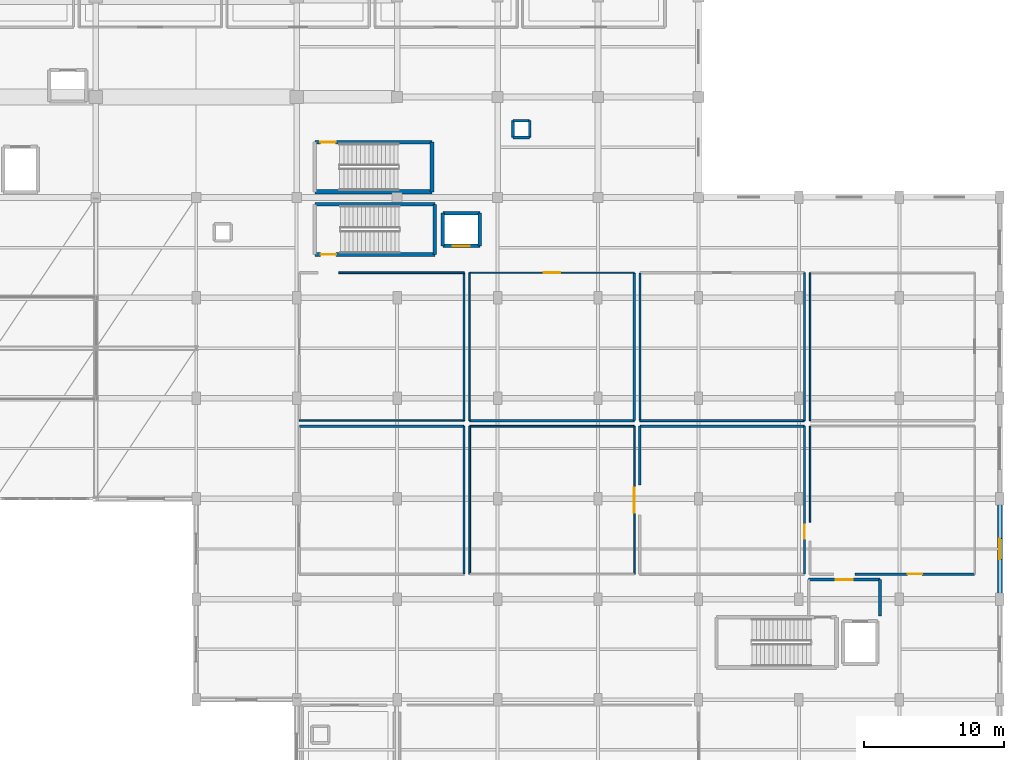
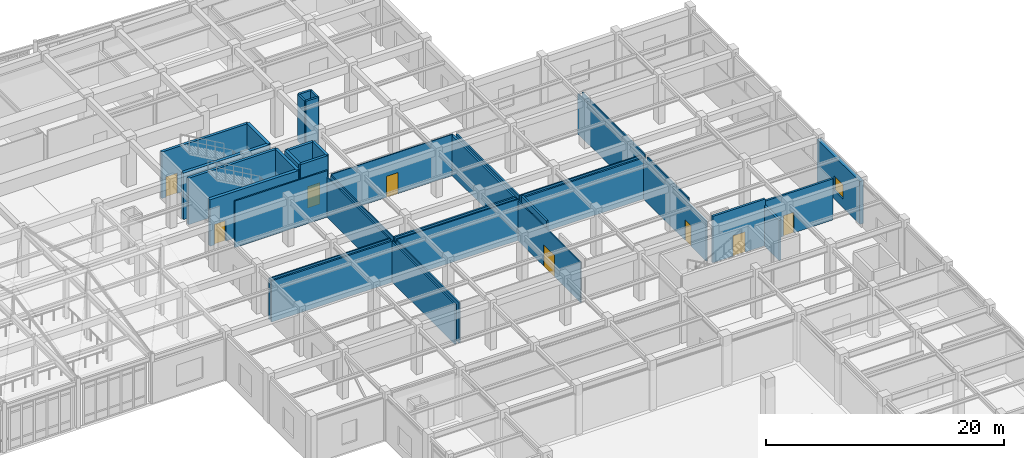
# One storey, part 95 of 117: 38 walls, 8 doors, 1 window, 9 openings.
"""IFC4 building model written with IfcOpenShell, lengths in metres."""

import ifcopenshell
import ifcopenshell.guid

model = None  # the IFC model being written
_history = None  # IfcOwnerHistory: only IFC2X3 demands one
_inside = {}  # id of a spatial element -> (the spatial element, [elements in it])
_under = {}  # id of a project, library or spatial element -> (it, [spatial elements below it])
_declared = {}  # id of a project -> (the project, [libraries it declares])
_typed = {}  # id of a type object -> (the type object, [elements of that type])
_made_of = {}  # id of a material, layer set ... -> (it, [elements and type objects made of it])


def new_model(schema):
    """Start an empty IFC model of exactly this schema.

    Asked for "IFC4X3", IfcOpenShell would pick the latest addendum, in which some entities
    have other attributes; the version numbers below select the first issue.
    IFC2X3 requires an IfcOwnerHistory on every rooted entity: one is made here for all.
    """
    global model, _history
    if schema == "IFC4X3":
        model = ifcopenshell.file(schema_version=(4, 3, 0, 0))
    else:
        model = ifcopenshell.file(schema=schema)
    _inside.clear()
    _under.clear()
    _declared.clear()
    _typed.clear()
    _made_of.clear()
    _history = None
    if model.schema == "IFC2X3":
        org = make("IfcOrganization", Name="unknown")
        user = make(
            "IfcPersonAndOrganization",
            ThePerson=make("IfcPerson", FamilyName="unknown"),
            TheOrganization=org,
        )
        app = make(
            "IfcApplication",
            ApplicationDeveloper=org,
            Version="unknown",
            ApplicationFullName="unknown",
            ApplicationIdentifier="unknown",
        )
        _history = make(
            "IfcOwnerHistory",
            OwningUser=user,
            OwningApplication=app,
            ChangeAction="ADDED",
            CreationDate=0,
        )
    return model


def make(cls, **values):
    """One entity of the class cls with the attributes given. An attribute that is None is left unset."""
    return model.create_entity(
        cls, **{name: value for name, value in values.items() if value is not None}
    )


def rooted(cls, **values):
    """An entity with a GlobalId (a new one), such as an element, a storey or a relation."""
    return make(cls, GlobalId=ifcopenshell.guid.new(), OwnerHistory=_history, **values)


def si_unit(unit_type, name, prefix=None):
    """IfcSIUnit, for example si_unit("LENGTHUNIT", "METRE", prefix="MILLI")."""
    return make("IfcSIUnit", UnitType=unit_type, Prefix=prefix, Name=name)


def assignment(units):
    """IfcUnitAssignment: the units of a project."""
    return None if units is None else make("IfcUnitAssignment", Units=units)


def point(xyz):
    """IfcCartesianPoint."""
    return None if xyz is None else make("IfcCartesianPoint", Coordinates=xyz)


def direction(xyz):
    """IfcDirection."""
    return None if xyz is None else make("IfcDirection", DirectionRatios=xyz)


def frame(location, z_axis=None, x_axis=None):
    """IfcAxis2Placement3D, a coordinate frame: its origin and axes. An axis left out is left unset."""
    return make(
        "IfcAxis2Placement3D",
        Location=point(location),
        Axis=direction(z_axis),
        RefDirection=direction(x_axis),
    )


def frame_2d(location, x_axis=None):
    """IfcAxis2Placement2D, a coordinate frame in the plane: its origin and x axis."""
    return make(
        "IfcAxis2Placement2D", Location=point(location), RefDirection=direction(x_axis)
    )


def origin():
    """The frame at (0, 0, 0) with its axes left unset."""
    return frame((0.0, 0.0, 0.0))


def place(relative_to, where):
    """IfcLocalPlacement: puts the frame where relative to a parent placement (None: the world)."""
    return make(
        "IfcLocalPlacement", PlacementRelTo=relative_to, RelativePlacement=where
    )


def context(
    kind, dimensions, precision=None, world=None, true_north=None, identifier=None
):
    """IfcGeometricRepresentationContext, for example the 3D "Model" context."""
    return make(
        "IfcGeometricRepresentationContext",
        ContextIdentifier=identifier,
        ContextType=kind,
        CoordinateSpaceDimension=dimensions,
        Precision=precision,
        WorldCoordinateSystem=world,
        TrueNorth=true_north,
    )


def subcontext(parent, identifier, kind, view, scale=None):
    """IfcGeometricRepresentationSubContext, for example "Body" below "Model"."""
    return make(
        "IfcGeometricRepresentationSubContext",
        ContextIdentifier=identifier,
        ContextType=kind,
        ParentContext=parent,
        TargetScale=scale,
        TargetView=view,
    )


def project(units=None, contexts=None):
    """IfcProject with its units and contexts."""
    return rooted(
        "IfcProject",
        Name="project",
        RepresentationContexts=contexts,
        UnitsInContext=assignment(units),
    )


def spatial(cls, under=None, at=None, **own):
    """A site, building, storey or space (cls), placed at a placement, below another one or the project."""
    s = rooted(cls, ObjectPlacement=at, **own)
    if under is not None:
        _under.setdefault(under.id(), (under, []))[1].append(s)
    return s


def profile(cls, at=None, kind="AREA", **sizes):
    """A parametric profile (cls). Its sizes go by their IFC names, for example OverallWidth=200.0."""
    return make(cls, ProfileType=kind, Position=at, **sizes)


def rectangle(**sizes):
    """IfcRectangleProfileDef."""
    return profile("IfcRectangleProfileDef", **sizes)


def extrude(swept, where, along, depth):
    """IfcExtrudedAreaSolid: the profile swept, set in the frame where, extruded along a direction by depth."""
    return make(
        "IfcExtrudedAreaSolid",
        SweptArea=swept,
        Position=where,
        ExtrudedDirection=direction(along),
        Depth=depth,
    )


def shape(context_of_items, identifier, shape_type, items):
    """IfcShapeRepresentation: the items that make up one representation, for example the "Body"."""
    return make(
        "IfcShapeRepresentation",
        ContextOfItems=context_of_items,
        RepresentationIdentifier=identifier,
        RepresentationType=shape_type,
        Items=items,
    )


def material(Name=None, Category=None):
    """IfcMaterial."""
    return make("IfcMaterial", Name=Name, Category=Category)


def layer(
    of_material, thickness, ventilated=None, Name=None, Category=None, Priority=None
):
    """IfcMaterialLayer: one layer of a wall or slab, of a material (None: an air gap)."""
    return make(
        "IfcMaterialLayer",
        Material=of_material,
        LayerThickness=thickness,
        IsVentilated=ventilated,
        Name=Name,
        Category=Category,
        Priority=Priority,
    )


def layer_set(layers, Name=None):
    """IfcMaterialLayerSet."""
    return make("IfcMaterialLayerSet", MaterialLayers=layers, LayerSetName=Name)


def made_of(thing, what):
    """Note that an element or type object is made of a material, layer set ...; save() writes the relation."""
    if what is not None:
        _made_of.setdefault(what.id(), (what, []))[1].append(thing)
    return thing


def type_object(cls, material=None, **own):
    """A type object (cls), such as IfcWallType, which elements share."""
    return made_of(rooted(cls, **own), material)


def element(
    cls,
    number,
    at=None,
    inside=None,
    cuts=None,
    type_object=None,
    material=None,
    context=None,
    identifier="Body",
    shape_type=None,
    held_by="IfcProductDefinitionShape",
    body=None,
    shapes=None,
    **own,
):
    """One element of the class cls, such as IfcWall. Its Tag is "e" and its number.

    at: its placement. inside: the storey or other place that contains it. cuts: it is an
    opening in that element (IfcRelVoidsElement). A single representation is given by context,
    identifier, shape_type and body (its items); several are given by shapes. held_by: the class
    of the entity that holds the representations. save() writes the other relations.
    """
    e = rooted(cls, Tag="e%d" % number, ObjectPlacement=at, **own)
    if body is not None:
        shapes = [shape(context, identifier, shape_type, body)]
    if shapes is not None:
        e.Representation = make(held_by, Representations=shapes)
    if inside is not None:
        _inside.setdefault(inside.id(), (inside, []))[1].append(e)
    if cuts is not None:
        rooted(
            "IfcRelVoidsElement", RelatingBuildingElement=cuts, RelatedOpeningElement=e
        )
    if type_object is not None:
        _typed.setdefault(type_object.id(), (type_object, []))[1].append(e)
    return made_of(e, material)


def fill(opening, filler):
    """IfcRelFillsElement: the door or window that sits in an opening."""
    return rooted(
        "IfcRelFillsElement",
        RelatingOpeningElement=opening,
        RelatedBuildingElement=filler,
    )


def aggregate(whole, parts):
    """IfcRelAggregates: a whole, such as a stair, and the parts it consists of."""
    return rooted("IfcRelAggregates", RelatingObject=whole, RelatedObjects=parts)


def save(model, path):
    """Write the relations noted so far, then the file.

    IfcRelAggregates (storeys below a building ...), IfcRelContainedInSpatialStructure (elements
    in a storey), IfcRelDefinesByType, IfcRelAssociatesMaterial and IfcRelDeclares: one each for
    every whole, place, type object, material and project.
    """
    for whole, parts in _under.values():
        aggregate(whole, parts)
    for where, things in _inside.values():
        rooted(
            "IfcRelContainedInSpatialStructure",
            RelatedElements=things,
            RelatingStructure=where,
        )
    for kind, things in _typed.values():
        rooted("IfcRelDefinesByType", RelatedObjects=things, RelatingType=kind)
    for what, things in _made_of.values():
        rooted("IfcRelAssociatesMaterial", RelatedObjects=things, RelatingMaterial=what)
    for by, libraries in _declared.values():
        rooted("IfcRelDeclares", RelatingContext=by, RelatedDefinitions=libraries)
    model.write(path)


model = new_model("IFC4")

# Units and contexts
model_context = context("Model", 3, precision=1e-05, world=origin(), true_north=direction((0.0, 1.0)))
body_context = subcontext(model_context, "Body", "Model", "MODEL_VIEW")
ifc_project = project(units=[si_unit("LENGTHUNIT", "METRE"), si_unit("AREAUNIT", "SQUARE_METRE"), si_unit("VOLUMEUNIT", "CUBIC_METRE"), si_unit("PLANEANGLEUNIT", "RADIAN"), si_unit("MASSUNIT", "GRAM", prefix="KILO")], contexts=[model_context])

# Site, building, storey
site_placement = place(None, origin())
site = spatial("IfcSite", under=ifc_project, at=site_placement, CompositionType="ELEMENT")
building_placement = place(site_placement, origin())
building = spatial("IfcBuilding", under=site, at=building_placement, Name="Carrowvane Square Congress Hotel", CompositionType="ELEMENT")
storey_placement = place(building_placement, frame((0.0, 0.0, 5.39990234375)))
storey = spatial("IfcBuildingStorey", under=building, at=storey_placement, Name="L01", CompositionType="ELEMENT", Elevation=5.39990234375)

# Wall, opening, window
ifc_material_1 = material(Name="Glazed terracotta rainscreen", Category="masonry")
ifc_layer_1 = layer(ifc_material_1, 0.360107421875)
ifc_layer_set_1 = layer_set([ifc_layer_1], Name="Glazed terracotta rainscreen")
wall_type_1 = type_object("IfcWallType", Name="WL-EXT-TC360", PredefinedType="STANDARD", material=ifc_layer_set_1)
wall_1_placement = place(storey_placement, frame((184.39990234375, 70.199951171875, 0.0), z_axis=(0.0, 0.0, 1.0), x_axis=(0.0, -1.0, 0.0)))
wall_1 = element("IfcWall", 1, at=wall_1_placement, inside=storey, type_object=wall_type_1, Name="L01 exterior facade wall 229", PredefinedType="STANDARD", context=body_context, shape_type="SweptSolid", body=[
    extrude(rectangle(XDim=7.199951171875, YDim=0.360107421875, at=frame_2d((3.60009765625, 0.0))), origin(), (0.0, 0.0, 1.0), 4.406982421875),
])
opening_1_placement = place(wall_1_placement, frame((2.85009765625, 0.0, 0.89990234375)))
opening_1 = element("IfcOpeningElement", 2, at=opening_1_placement, cuts=wall_1, Name="Opening W-15", PredefinedType="OPENING", context=body_context, shape_type="SweptSolid", body=[
    extrude(rectangle(XDim=1.5, YDim=1.5, at=frame_2d((0.75, 0.75))), frame((0.0, 0.18994140625, 0.0), z_axis=(0.0, -1.0, 0.0), x_axis=(1.0, 0.0, 0.0)), (0.0, 0.0, 1.0), 0.380126953125),
])
ifc_material_2 = material(Name="Double-glazed low-E glass", Category="glass")
window_type = type_object("IfcWindowType", Name="WIN-15", PartitioningType="SINGLE_PANEL", PredefinedType="WINDOW", material=ifc_material_2)
window_placement = place(opening_1_placement, origin())
window = element("IfcWindow", 3, at=window_placement, inside=storey, type_object=window_type, Name="L01 facade window 52", OverallHeight=1.5, OverallWidth=1.5, PartitioningType="SINGLE_PANEL", PredefinedType="WINDOW", context=body_context, shape_type="SweptSolid", body=[
    extrude(rectangle(XDim=1.5, YDim=1.5, at=frame_2d((0.75, 0.75))), frame((0.0, 0.030029296875, 0.0), z_axis=(0.0, -1.0, 0.0), x_axis=(1.0, 0.0, 0.0)), (0.0, 0.0, 1.0), 0.06005859375),
])
fill(opening_1, window)

# Walls
ifc_material_3 = material(Name="Acoustic gypsum board", Category="gypsum")
ifc_layer_2 = layer(ifc_material_3, 0.155029296875)
ifc_layer_set_2 = layer_set([ifc_layer_2], Name="Acoustic gypsum board")
wall_type_2 = type_object("IfcWallType", Name="WL-FIR-155", PredefinedType="PARTITIONING", material=ifc_layer_set_2)
wall_2_placement = place(storey_placement, frame((134.199951171875, 75.39990234375, 0.0), z_axis=(0.0, 0.0, 1.0), x_axis=(1.0, 0.0, 0.0)))
element("IfcWall", 4, at=wall_2_placement, inside=storey, type_object=wall_type_2, Name="L01 Executive Boardroom 101 partition", PredefinedType="PARTITIONING", context=body_context, shape_type="SweptSolid", body=[
    extrude(rectangle(XDim=11.800048828125, YDim=0.155029296875, at=frame_2d((5.89990234375, 0.0))), origin(), (0.0, 0.0, 1.0), 4.228515625),
])
wall_3_placement = place(storey_placement, frame((158.60009765625, 75.39990234375, 0.0), z_axis=(0.0, 0.0, 1.0), x_axis=(1.0, 0.0, 0.0)))
element("IfcWall", 5, at=wall_3_placement, inside=storey, type_object=wall_type_2, Name="L01 Executive Boardroom 103 partition", PredefinedType="PARTITIONING", context=body_context, shape_type="SweptSolid", body=[
    extrude(rectangle(XDim=11.7998046875, YDim=0.155029296875, at=frame_2d((5.89990234375, 0.0))), origin(), (0.0, 0.0, 1.0), 4.228515625),
])
wall_4_placement = place(storey_placement, frame((158.60009765625, 75.800048828125, 0.0), z_axis=(0.0, 0.0, 1.0), x_axis=(0.0, 1.0, 0.0)))
element("IfcWall", 6, at=wall_4_placement, inside=storey, type_object=wall_type_2, Name="L01 Executive Boardroom 107 partition", PredefinedType="PARTITIONING", context=body_context, shape_type="SweptSolid", body=[
    extrude(rectangle(XDim=10.599853515625, YDim=0.155029296875, at=frame_2d((5.2998046875, 0.0))), origin(), (0.0, 0.0, 1.0), 4.114990234375),
])
ifc_material_4 = material(Name="Acoustic gypsum board", Category="gypsum")
ifc_layer_3 = layer(ifc_material_4, 0.169921875)
ifc_layer_set_3 = layer_set([ifc_layer_3], Name="Acoustic gypsum board")
wall_type_3 = type_object("IfcWallType", Name="WL-FIR-170", PredefinedType="PARTITIONING", material=ifc_layer_set_3)
wall_5_placement = place(storey_placement, frame((158.60009765625, 71.179931640625, 0.0), z_axis=(0.0, 0.0, 1.0), x_axis=(0.0, 1.0, 0.0)))
element("IfcWall", 7, at=wall_5_placement, inside=storey, type_object=wall_type_3, Name="L01 Executive Boardroom 103 partition", PredefinedType="PARTITIONING", context=body_context, shape_type="SweptSolid", body=[
    extrude(rectangle(XDim=4.219970703125, YDim=0.169921875, at=frame_2d((2.10986328125, 0.0))), origin(), (0.0, 0.0, 1.0), 4.406982421875),
])
wall_6_placement = place(storey_placement, frame((158.199951171875, 75.800048828125, 0.0), z_axis=(0.0, 0.0, 1.0), x_axis=(-1.0, 0.0, 0.0)))
element("IfcWall", 8, at=wall_6_placement, inside=storey, type_object=wall_type_3, Name="L01 Executive Boardroom 106 partition", PredefinedType="PARTITIONING", context=body_context, shape_type="SweptSolid", body=[
    extrude(rectangle(XDim=11.800048828125, YDim=0.169921875, at=frame_2d((5.89990234375, 0.0))), origin(), (0.0, 0.0, 1.0), 4.228515625),
])

# Wall, opening, door
ifc_material_5 = material(Name="Acoustic gypsum board", Category="gypsum")
ifc_layer_4 = layer(ifc_material_5, 0.18505859375)
ifc_layer_set_4 = layer_set([ifc_layer_4], Name="Acoustic gypsum board")
wall_type_4 = type_object("IfcWallType", Name="WL-FIR-185", PredefinedType="PARTITIONING", material=ifc_layer_set_4)
wall_7_placement = place(storey_placement, frame((182.60009765625, 64.800048828125, 0.0), z_axis=(0.0, 0.0, 1.0), x_axis=(-1.0, 0.0, 0.0)))
wall_7 = element("IfcWall", 9, at=wall_7_placement, inside=storey, type_object=wall_type_4, Name="L01 Executive Boardroom 104 partition", PredefinedType="PARTITIONING", context=body_context, shape_type="SweptSolid", body=[
    extrude(rectangle(XDim=8.570068359375, YDim=0.18505859375, at=frame_2d((4.28515625, 0.0))), origin(), (0.0, 0.0, 1.0), 4.228515625),
])
opening_2_placement = place(wall_7_placement, frame((3.764892578125, 0.0, 0.0)))
opening_2 = element("IfcOpeningElement", 10, at=opening_2_placement, cuts=wall_7, Name="Opening ID-07", PredefinedType="OPENING", context=body_context, shape_type="SweptSolid", body=[
    extrude(rectangle(XDim=1.0400390625, YDim=2.1201171875, at=frame_2d((0.52001953125, 1.06005859375))), frame((0.0, 0.1025390625, 0.0), z_axis=(0.0, -1.0, 0.0), x_axis=(1.0, 0.0, 0.0)), (0.0, 0.0, 1.0), 0.205078125),
])
ifc_material_6 = material(Name="European oak timber", Category="wood")
door_type_1 = type_object("IfcDoorType", Name="DR-INT-1040x2120", OperationType="NOTDEFINED", PredefinedType="DOOR", material=ifc_material_6)
door_1_placement = place(opening_2_placement, origin())
door_1 = element("IfcDoor", 11, at=door_1_placement, inside=storey, type_object=door_type_1, Name="L01 Executive Boardroom 104 entrance door", OperationType="SINGLE_SWING_RIGHT", OverallHeight=2.1201171875, OverallWidth=1.0400390625, PredefinedType="DOOR", context=body_context, shape_type="SweptSolid", body=[
    extrude(rectangle(XDim=1.0400390625, YDim=2.1201171875, at=frame_2d((0.52001953125, 1.06005859375))), frame((0.0, 0.02490234375, 0.0), z_axis=(0.0, -1.0, 0.0), x_axis=(1.0, 0.0, 0.0)), (0.0, 0.0, 1.0), 0.050048828125),
])
fill(opening_2, door_1)

# Walls
wall_8_placement = place(storey_placement, frame((158.199951171875, 86.39990234375, 0.0), z_axis=(0.0, 0.0, 1.0), x_axis=(0.0, -1.0, 0.0)))
element("IfcWall", 12, at=wall_8_placement, inside=storey, type_object=wall_type_4, Name="L01 Executive Boardroom 106 partition", PredefinedType="PARTITIONING", context=body_context, shape_type="SweptSolid", body=[
    extrude(rectangle(XDim=10.599853515625, YDim=0.18505859375, at=frame_2d((5.2998046875, 0.0))), origin(), (0.0, 0.0, 1.0), 4.114990234375),
])
ifc_material_7 = material(Name="Acoustic gypsum board", Category="gypsum")
ifc_layer_5 = layer(ifc_material_7, 0.205078125)
ifc_layer_set_5 = layer_set([ifc_layer_5], Name="Acoustic gypsum board")
wall_type_5 = type_object("IfcWallType", Name="WL-FIR-205", PredefinedType="PARTITIONING", material=ifc_layer_set_5)
wall_9_placement = place(storey_placement, frame((175.800048828125, 61.800048828125, 0.0), z_axis=(0.0, 0.0, 1.0), x_axis=(0.0, 1.0, 0.0)))
element("IfcWall", 13, at=wall_9_placement, inside=storey, type_object=wall_type_5, Name="L01 Firefighting Lobby C4 wall east", PredefinedType="PARTITIONING", context=body_context, shape_type="SweptSolid", body=[
    extrude(rectangle(XDim=2.599853515625, YDim=0.205078125, at=frame_2d((1.2998046875, 0.0))), origin(), (0.0, 0.0, 1.0), 4.114990234375),
])

# Wall, opening, door
wall_10_placement = place(storey_placement, frame((175.800048828125, 64.39990234375, 0.0), z_axis=(0.0, 0.0, 1.0), x_axis=(-1.0, 0.0, 0.0)))
wall_10 = element("IfcWall", 14, at=wall_10_placement, inside=storey, type_object=wall_type_5, Name="L01 Firefighting Lobby C4 wall north", PredefinedType="PARTITIONING", context=body_context, shape_type="SweptSolid", body=[
    extrude(rectangle(XDim=5.10009765625, YDim=0.205078125, at=frame_2d((2.550048828125, 0.0))), origin(), (0.0, 0.0, 1.0), 4.780029296875),
])
opening_3_placement = place(wall_10_placement, frame((1.949951171875, 0.0, 0.0)))
opening_3 = element("IfcOpeningElement", 15, at=opening_3_placement, cuts=wall_10, Name="Opening FD-02", PredefinedType="OPENING", context=body_context, shape_type="SweptSolid", body=[
    extrude(rectangle(XDim=1.199951171875, YDim=2.10009765625, at=frame_2d((0.60009765625, 1.050048828125))), frame((0.0, 0.112548828125, 0.0), z_axis=(0.0, -1.0, 0.0), x_axis=(1.0, 0.0, 0.0)), (0.0, 0.0, 1.0), 0.22509765625),
])
ifc_material_8 = material(Name="European oak timber", Category="wood")
door_type_2 = type_object("IfcDoorType", Name="DR-FD60-1200x2100", OperationType="NOTDEFINED", PredefinedType="DOOR", material=ifc_material_8)
door_2_placement = place(opening_3_placement, origin())
door_2 = element("IfcDoor", 16, at=door_2_placement, inside=storey, type_object=door_type_2, Name="L01 Firefighting Lobby C4 entrance door", OperationType="SINGLE_SWING_RIGHT", OverallHeight=2.10009765625, OverallWidth=1.199951171875, PredefinedType="DOOR", context=body_context, shape_type="SweptSolid", body=[
    extrude(rectangle(XDim=1.199951171875, YDim=2.10009765625, at=frame_2d((0.60009765625, 1.050048828125))), frame((0.0, 0.02490234375, 0.0), z_axis=(0.0, -1.0, 0.0), x_axis=(1.0, 0.0, 0.0)), (0.0, 0.0, 1.0), 0.050048828125),
])
fill(opening_3, door_2)

# Walls
ifc_material_9 = material(Name="Standing-seam zinc cladding", Category="metal")
ifc_layer_6 = layer(ifc_material_9, 0.195068359375)
ifc_layer_set_6 = layer_set([ifc_layer_6], Name="Standing-seam zinc cladding")
wall_type_6 = type_object("IfcWallType", Name="WL-PAR-195", PredefinedType="PARAPET", material=ifc_layer_set_6)
for number, where, z_axis, x_axis, name in (
    (17, (149.5, 96.10009765625, 0.0), (0.0, 0.0, 1.0), (1.0, 0.0, 0.0), "L01 service riser RSR-V5E enclosure S"),
    (18, (150.699951171875, 96.10009765625, 0.0), (0.0, 0.0, 1.0), (0.0, 1.0, 0.0), "L01 service riser RSR-V5E enclosure E"),
    (19, (150.699951171875, 97.300048828125, 0.0), (0.0, 0.0, 1.0), (-1.0, 0.0, 0.0), "L01 service riser RSR-V5E enclosure N"),
    (20, (149.5, 97.300048828125, 0.0), (0.0, 0.0, 1.0), (0.0, -1.0, 0.0), "L01 service riser RSR-V5E enclosure W"),
):
    element("IfcWall", number, at=place(storey_placement, frame(where, z_axis=z_axis, x_axis=x_axis)), inside=storey, type_object=wall_type_6, Name=name, PredefinedType="PARAPET", context=body_context, shape_type="SweptSolid", body=[
        extrude(rectangle(XDim=1.199951171875, YDim=0.195068359375, at=frame_2d((0.60009765625, 0.0))), origin(), (0.0, 0.0, 1.0), 4.780029296875),
    ])

# Wall, opening, door
ifc_material_10 = material(Name="Acoustic gypsum board", Category="gypsum")
ifc_layer_7 = layer(ifc_material_10, 0.097900390625)
ifc_layer_set_7 = layer_set([ifc_layer_7], Name="Acoustic gypsum board")
wall_type_7 = type_object("IfcWallType", Name="WL-PRT-098", PredefinedType="PARTITIONING", material=ifc_layer_set_7)
wall_11_placement = place(storey_placement, frame((146.39990234375, 86.39990234375, 0.0), z_axis=(0.0, 0.0, 1.0), x_axis=(1.0, 0.0, 0.0)))
wall_11 = element("IfcWall", 21, at=wall_11_placement, inside=storey, type_object=wall_type_7, Name="L01 Executive Boardroom 106 partition", PredefinedType="PARTITIONING", context=body_context, shape_type="SweptSolid", body=[
    extrude(rectangle(XDim=11.800048828125, YDim=0.097900390625, at=frame_2d((5.89990234375, 0.0))), origin(), (0.0, 0.0, 1.0), 4.228515625),
])
opening_4_placement = place(wall_11_placement, frame((5.324951171875, 0.0, 0.0)))
opening_4 = element("IfcOpeningElement", 22, at=opening_4_placement, cuts=wall_11, Name="Opening ID-09", PredefinedType="OPENING", context=body_context, shape_type="SweptSolid", body=[
    extrude(rectangle(XDim=1.14990234375, YDim=2.14990234375, at=frame_2d((0.574951171875, 1.074951171875))), frame((0.0, 0.058837890625, 0.0), z_axis=(0.0, -1.0, 0.0), x_axis=(1.0, 0.0, 0.0)), (0.0, 0.0, 1.0), 0.117919921875),
])
ifc_material_11 = material(Name="European oak timber", Category="wood")
door_type_3 = type_object("IfcDoorType", Name="DR-INT-1150x2150", OperationType="NOTDEFINED", PredefinedType="DOOR", material=ifc_material_11)
door_3_placement = place(opening_4_placement, origin())
door_3 = element("IfcDoor", 23, at=door_3_placement, inside=storey, type_object=door_type_3, Name="L01 Executive Boardroom 106 entrance door", OperationType="SINGLE_SWING_RIGHT", OverallHeight=2.14990234375, OverallWidth=1.14990234375, PredefinedType="DOOR", context=body_context, shape_type="SweptSolid", body=[
    extrude(rectangle(XDim=1.14990234375, YDim=2.14990234375, at=frame_2d((0.574951171875, 1.074951171875))), frame((0.0, 0.02490234375, 0.0), z_axis=(0.0, -1.0, 0.0), x_axis=(1.0, 0.0, 0.0)), (0.0, 0.0, 1.0), 0.050048828125),
])
fill(opening_4, door_3)

ifc_material_12 = material(Name="Acoustic gypsum board", Category="gypsum")
ifc_layer_8 = layer(ifc_material_12, 0.10791015625)
ifc_layer_set_8 = layer_set([ifc_layer_8], Name="Acoustic gypsum board")
wall_type_8 = type_object("IfcWallType", Name="WL-PRT-108", PredefinedType="PARTITIONING", material=ifc_layer_set_8)
wall_12_placement = place(storey_placement, frame((158.199951171875, 75.39990234375, 0.0), z_axis=(0.0, 0.0, 1.0), x_axis=(0.0, -1.0, 0.0)))
wall_12 = element("IfcWall", 24, at=wall_12_placement, inside=storey, type_object=wall_type_8, Name="L01 Executive Boardroom 102 partition", PredefinedType="PARTITIONING", context=body_context, shape_type="SweptSolid", body=[
    extrude(rectangle(XDim=10.599853515625, YDim=0.10791015625, at=frame_2d((5.2998046875, 0.0))), origin(), (0.0, 0.0, 1.0), 4.114990234375),
])
opening_5_placement = place(wall_12_placement, frame((4.39990234375, 0.0, 0.0)))
opening_5 = element("IfcOpeningElement", 25, at=opening_5_placement, cuts=wall_12, Name="Opening FD-05", PredefinedType="OPENING", context=body_context, shape_type="SweptSolid", body=[
    extrude(rectangle(XDim=1.800048828125, YDim=2.199951171875, at=frame_2d((0.89990234375, 1.10009765625))), frame((0.0, 0.06396484375, 0.0), z_axis=(0.0, -1.0, 0.0), x_axis=(1.0, 0.0, 0.0)), (0.0, 0.0, 1.0), 0.1279296875),
])
ifc_material_13 = material(Name="European oak timber", Category="wood")
door_type_4 = type_object("IfcDoorType", Name="DR-FD60-1800x2200", OperationType="DOUBLE_DOOR_SINGLE_SWING", PredefinedType="DOOR", material=ifc_material_13)
door_4_placement = place(opening_5_placement, origin())
door_4 = element("IfcDoor", 26, at=door_4_placement, inside=storey, type_object=door_type_4, Name="L01 Executive Boardroom 102 entrance door", OperationType="DOUBLE_DOOR_SINGLE_SWING", OverallHeight=2.199951171875, OverallWidth=1.800048828125, PredefinedType="DOOR", context=body_context, shape_type="SweptSolid", body=[
    extrude(rectangle(XDim=1.800048828125, YDim=2.199951171875, at=frame_2d((0.89990234375, 1.10009765625))), frame((0.0, 0.02490234375, 0.0), z_axis=(0.0, -1.0, 0.0), x_axis=(1.0, 0.0, 0.0)), (0.0, 0.0, 1.0), 0.050048828125),
])
fill(opening_5, door_4)

# Walls
wall_13_placement = place(storey_placement, frame((146.39990234375, 75.800048828125, 0.0), z_axis=(0.0, 0.0, 1.0), x_axis=(0.0, 1.0, 0.0)))
element("IfcWall", 27, at=wall_13_placement, inside=storey, type_object=wall_type_8, Name="L01 Executive Boardroom 106 partition", PredefinedType="PARTITIONING", context=body_context, shape_type="SweptSolid", body=[
    extrude(rectangle(XDim=10.599853515625, YDim=0.10791015625, at=frame_2d((5.2998046875, 0.0))), origin(), (0.0, 0.0, 1.0), 4.114990234375),
])
ifc_material_14 = material(Name="Acoustic gypsum board", Category="gypsum")
ifc_layer_9 = layer(ifc_material_14, 0.117919921875)
ifc_layer_set_9 = layer_set([ifc_layer_9], Name="Acoustic gypsum board")
wall_type_9 = type_object("IfcWallType", Name="WL-PRT-118", PredefinedType="PARTITIONING", material=ifc_layer_set_9)
wall_14_placement = place(storey_placement, frame((146.39990234375, 75.39990234375, 0.0), z_axis=(0.0, 0.0, 1.0), x_axis=(1.0, 0.0, 0.0)))
element("IfcWall", 28, at=wall_14_placement, inside=storey, type_object=wall_type_9, Name="L01 Executive Boardroom 102 partition", PredefinedType="PARTITIONING", context=body_context, shape_type="SweptSolid", body=[
    extrude(rectangle(XDim=11.800048828125, YDim=0.117919921875, at=frame_2d((5.89990234375, 0.0))), origin(), (0.0, 0.0, 1.0), 4.228515625),
])
wall_15_placement = place(storey_placement, frame((170.800048828125, 68.530029296875, 0.0), z_axis=(0.0, 0.0, 1.0), x_axis=(0.0, 1.0, 0.0)))
element("IfcWall", 29, at=wall_15_placement, inside=storey, type_object=wall_type_9, Name="L01 Executive Boardroom 104 partition", PredefinedType="PARTITIONING", context=body_context, shape_type="SweptSolid", body=[
    extrude(rectangle(XDim=6.869873046875, YDim=0.117919921875, at=frame_2d((3.43505859375, 0.0))), origin(), (0.0, 0.0, 1.0), 4.114990234375),
])
wall_16_placement = place(storey_placement, frame((146.0, 75.800048828125, 0.0), z_axis=(0.0, 0.0, 1.0), x_axis=(-1.0, 0.0, 0.0)))
element("IfcWall", 30, at=wall_16_placement, inside=storey, type_object=wall_type_9, Name="L01 Executive Boardroom 105 partition", PredefinedType="PARTITIONING", context=body_context, shape_type="SweptSolid", body=[
    extrude(rectangle(XDim=11.800048828125, YDim=0.117919921875, at=frame_2d((5.89990234375, 0.0))), origin(), (0.0, 0.0, 1.0), 4.228515625),
])
wall_17_placement = place(storey_placement, frame((170.800048828125, 75.800048828125, 0.0), z_axis=(0.0, 0.0, 1.0), x_axis=(0.0, 1.0, 0.0)))
element("IfcWall", 31, at=wall_17_placement, inside=storey, type_object=wall_type_9, Name="L01 Executive Boardroom 108 partition", PredefinedType="PARTITIONING", context=body_context, shape_type="SweptSolid", body=[
    extrude(rectangle(XDim=10.599853515625, YDim=0.117919921875, at=frame_2d((5.2998046875, 0.0))), origin(), (0.0, 0.0, 1.0), 4.114990234375),
])
ifc_material_15 = material(Name="Acoustic gypsum board", Category="gypsum")
ifc_layer_10 = layer(ifc_material_15, 0.1279296875)
ifc_layer_set_10 = layer_set([ifc_layer_10], Name="Acoustic gypsum board")
wall_type_10 = type_object("IfcWallType", Name="WL-PRT-128", PredefinedType="PARTITIONING", material=ifc_layer_set_10)
for number, where, z_axis, x_axis, name in (
    (32, (146.39990234375, 64.800048828125, 0.0), (0.0, 0.0, 1.0), (0.0, 1.0, 0.0), "L01 Executive Boardroom 102 partition"),
    (33, (146.0, 86.39990234375, 0.0), (0.0, 0.0, 1.0), (0.0, -1.0, 0.0), "L01 Executive Boardroom 105 partition"),
):
    element("IfcWall", number, at=place(storey_placement, frame(where, z_axis=z_axis, x_axis=x_axis)), inside=storey, type_object=wall_type_10, Name=name, PredefinedType="PARTITIONING", context=body_context, shape_type="SweptSolid", body=[
        extrude(rectangle(XDim=10.599853515625, YDim=0.1279296875, at=frame_2d((5.2998046875, 0.0))), origin(), (0.0, 0.0, 1.0), 4.114990234375),
    ])
wall_18_placement = place(storey_placement, frame((170.39990234375, 75.800048828125, 0.0), z_axis=(0.0, 0.0, 1.0), x_axis=(-1.0, 0.0, 0.0)))
element("IfcWall", 34, at=wall_18_placement, inside=storey, type_object=wall_type_10, Name="L01 Executive Boardroom 107 partition", PredefinedType="PARTITIONING", context=body_context, shape_type="SweptSolid", body=[
    extrude(rectangle(XDim=11.7998046875, YDim=0.1279296875, at=frame_2d((5.89990234375, 0.0))), origin(), (0.0, 0.0, 1.0), 4.228515625),
])
ifc_material_16 = material(Name="Acoustic gypsum board", Category="gypsum")
ifc_layer_11 = layer(ifc_material_16, 0.137939453125)
ifc_layer_set_11 = layer_set([ifc_layer_11], Name="Acoustic gypsum board")
wall_type_11 = type_object("IfcWallType", Name="WL-PRT-138", PredefinedType="PARTITIONING", material=ifc_layer_set_11)
wall_19_placement = place(storey_placement, frame((137.0048828125, 86.39990234375, 0.0), z_axis=(0.0, 0.0, 1.0), x_axis=(1.0, 0.0, 0.0)))
element("IfcWall", 35, at=wall_19_placement, inside=storey, type_object=wall_type_11, Name="L01 Executive Boardroom 105 partition", PredefinedType="PARTITIONING", context=body_context, shape_type="SweptSolid", body=[
    extrude(rectangle(XDim=8.9951171875, YDim=0.137939453125, at=frame_2d((4.49755859375, 0.0))), origin(), (0.0, 0.0, 1.0), 4.780029296875),
])
wall_20_placement = place(storey_placement, frame((170.39990234375, 86.39990234375, 0.0), z_axis=(0.0, 0.0, 1.0), x_axis=(0.0, -1.0, 0.0)))
element("IfcWall", 36, at=wall_20_placement, inside=storey, type_object=wall_type_11, Name="L01 Executive Boardroom 107 partition", PredefinedType="PARTITIONING", context=body_context, shape_type="SweptSolid", body=[
    extrude(rectangle(XDim=10.599853515625, YDim=0.137939453125, at=frame_2d((5.2998046875, 0.0))), origin(), (0.0, 0.0, 1.0), 4.114990234375),
])
ifc_material_17 = material(Name="Acoustic gypsum board", Category="gypsum")
ifc_layer_12 = layer(ifc_material_17, 0.14794921875)
ifc_layer_set_12 = layer_set([ifc_layer_12], Name="Acoustic gypsum board")
wall_type_12 = type_object("IfcWallType", Name="WL-PRT-148", PredefinedType="PARTITIONING", material=ifc_layer_set_12)
wall_21_placement = place(storey_placement, frame((146.0, 75.39990234375, 0.0), z_axis=(0.0, 0.0, 1.0), x_axis=(0.0, -1.0, 0.0)))
element("IfcWall", 37, at=wall_21_placement, inside=storey, type_object=wall_type_12, Name="L01 Executive Boardroom 101 partition", PredefinedType="PARTITIONING", context=body_context, shape_type="SweptSolid", body=[
    extrude(rectangle(XDim=10.599853515625, YDim=0.14794921875, at=frame_2d((5.2998046875, 0.0))), origin(), (0.0, 0.0, 1.0), 4.114990234375),
])

# Wall, opening, door
wall_22_placement = place(storey_placement, frame((170.39990234375, 75.39990234375, 0.0), z_axis=(0.0, 0.0, 1.0), x_axis=(0.0, -1.0, 0.0)))
wall_22 = element("IfcWall", 38, at=wall_22_placement, inside=storey, type_object=wall_type_12, Name="L01 Executive Boardroom 103 partition", PredefinedType="PARTITIONING", context=body_context, shape_type="SweptSolid", body=[
    extrude(rectangle(XDim=10.599853515625, YDim=0.14794921875, at=frame_2d((5.2998046875, 0.0))), origin(), (0.0, 0.0, 1.0), 4.114990234375),
])
opening_6_placement = place(wall_22_placement, frame((7.050048828125, 0.0, 0.0)))
opening_6 = element("IfcOpeningElement", 39, at=opening_6_placement, cuts=wall_22, Name="Opening ID-06", PredefinedType="OPENING", context=body_context, shape_type="SweptSolid", body=[
    extrude(rectangle(XDim=1.0, YDim=2.10009765625, at=frame_2d((0.5, 1.050048828125))), frame((0.0, 0.083984375, 0.0), z_axis=(0.0, -1.0, 0.0), x_axis=(1.0, 0.0, 0.0)), (0.0, 0.0, 1.0), 0.16796875),
])
ifc_material_18 = material(Name="European oak timber", Category="wood")
door_type_5 = type_object("IfcDoorType", Name="DR-INT-1000x2100", OperationType="NOTDEFINED", PredefinedType="DOOR", material=ifc_material_18)
door_5_placement = place(opening_6_placement, origin())
door_5 = element("IfcDoor", 40, at=door_5_placement, inside=storey, type_object=door_type_5, Name="L01 Executive Boardroom 103 entrance door", OperationType="SINGLE_SWING_LEFT", OverallHeight=2.10009765625, OverallWidth=1.0, PredefinedType="DOOR", context=body_context, shape_type="SweptSolid", body=[
    extrude(rectangle(XDim=1.0, YDim=2.10009765625, at=frame_2d((0.5, 1.050048828125))), frame((0.0, 0.02490234375, 0.0), z_axis=(0.0, -1.0, 0.0), x_axis=(1.0, 0.0, 0.0)), (0.0, 0.0, 1.0), 0.050048828125),
])
fill(opening_6, door_5)

# Wall
ifc_material_19 = material(Name="Concrete C40/50", Category="concrete")
ifc_layer_13 = layer(ifc_material_19, 0.25)
ifc_layer_set_13 = layer_set([ifc_layer_13], Name="Concrete C40/50")
wall_type_13 = type_object("IfcWallType", Name="WL-SHR-250", PredefinedType="SHEAR", material=ifc_layer_set_13)
wall_23_placement = place(storey_placement, frame((143.89990234375, 91.300048828125, 0.0), z_axis=(0.0, 0.0, 1.0), x_axis=(-1.0, 0.0, 0.0)))
element("IfcWall", 41, at=wall_23_placement, inside=storey, type_object=wall_type_13, Name="L01 ST8 core wall north", PredefinedType="SHEAR", context=body_context, shape_type="SweptSolid", body=[
    extrude(rectangle(XDim=8.599853515625, YDim=0.25, at=frame_2d((4.2998046875, 0.0))), origin(), (0.0, 0.0, 1.0), 4.780029296875),
])

# Wall, opening, door
wall_24_placement = place(storey_placement, frame((143.699951171875, 95.760009765625, 0.0), z_axis=(0.0, 0.0, 1.0), x_axis=(-1.0, 0.0, 0.0)))
wall_24 = element("IfcWall", 42, at=wall_24_placement, inside=storey, type_object=wall_type_13, Name="L01 ST12 core wall north", PredefinedType="SHEAR", context=body_context, shape_type="SweptSolid", body=[
    extrude(rectangle(XDim=8.39990234375, YDim=0.25, at=frame_2d((4.199951171875, 0.0))), origin(), (0.0, 0.0, 1.0), 4.780029296875),
])
opening_7_placement = place(wall_24_placement, frame((6.909912109375, 0.0, 0.0)))
opening_7 = element("IfcOpeningElement", 43, at=opening_7_placement, cuts=wall_24, Name="Opening FD-01", PredefinedType="OPENING", context=body_context, shape_type="SweptSolid", body=[
    extrude(rectangle(XDim=1.10009765625, YDim=2.10009765625, at=frame_2d((0.550048828125, 1.050048828125))), frame((0.0, 0.135009765625, 0.0), z_axis=(0.0, -1.0, 0.0), x_axis=(1.0, 0.0, 0.0)), (0.0, 0.0, 1.0), 0.27001953125),
])
ifc_material_20 = material(Name="European oak timber", Category="wood")
door_type_6 = type_object("IfcDoorType", Name="DR-FD60-1100x2100", OperationType="NOTDEFINED", PredefinedType="DOOR", material=ifc_material_20)
door_6_placement = place(opening_7_placement, origin())
door_6 = element("IfcDoor", 44, at=door_6_placement, inside=storey, type_object=door_type_6, Name="L01 ST12 fire door", OperationType="SINGLE_SWING_RIGHT", OverallHeight=2.10009765625, OverallWidth=1.10009765625, PredefinedType="DOOR", context=body_context, shape_type="SweptSolid", body=[
    extrude(rectangle(XDim=1.10009765625, YDim=2.10009765625, at=frame_2d((0.550048828125, 1.050048828125))), frame((0.0, 0.02490234375, 0.0), z_axis=(0.0, -1.0, 0.0), x_axis=(1.0, 0.0, 0.0)), (0.0, 0.0, 1.0), 0.050048828125),
])
fill(opening_7, door_6)

wall_25_placement = place(storey_placement, frame((144.47509765625, 88.324951171875, 0.0), z_axis=(0.0, 0.0, 1.0), x_axis=(1.0, 0.0, 0.0)))
wall_25 = element("IfcWall", 45, at=wall_25_placement, inside=storey, type_object=wall_type_13, Name="L01 CL-3 shaft wall south", PredefinedType="SHEAR", context=body_context, shape_type="SweptSolid", body=[
    extrude(rectangle(XDim=2.64990234375, YDim=0.25, at=frame_2d((1.324951171875, 0.0))), origin(), (0.0, 0.0, 1.0), 4.780029296875),
])
opening_8_placement = place(wall_25_placement, frame((0.72509765625, 0.0, 0.0)))
opening_8 = element("IfcOpeningElement", 46, at=opening_8_placement, cuts=wall_25, Name="Opening LD-CL-3", PredefinedType="OPENING", context=body_context, shape_type="SweptSolid", body=[
    extrude(rectangle(XDim=1.199951171875, YDim=2.199951171875, at=frame_2d((0.60009765625, 1.10009765625))), frame((0.0, 0.135009765625, 0.0), z_axis=(0.0, -1.0, 0.0), x_axis=(1.0, 0.0, 0.0)), (0.0, 0.0, 1.0), 0.27001953125),
])
ifc_material_21 = material(Name="Stainless steel 316", Category="steel")
door_type_7 = type_object("IfcDoorType", Name="DR-LD-1200x2200", OperationType="DOUBLE_DOOR_SLIDING", PredefinedType="DOOR", material=ifc_material_21)
door_7_placement = place(opening_8_placement, origin())
door_7 = element("IfcDoor", 47, at=door_7_placement, inside=storey, type_object=door_type_7, Name="L01 CL-3 sliding lift landing door", OperationType="DOUBLE_DOOR_SLIDING", OverallHeight=2.199951171875, OverallWidth=1.199951171875, PredefinedType="DOOR", context=body_context, shape_type="SweptSolid", body=[
    extrude(rectangle(XDim=1.199951171875, YDim=2.199951171875, at=frame_2d((0.60009765625, 1.10009765625))), frame((0.0, 0.02490234375, 0.0), z_axis=(0.0, -1.0, 0.0), x_axis=(1.0, 0.0, 0.0)), (0.0, 0.0, 1.0), 0.050048828125),
])
fill(opening_8, door_7)

# Walls
wall_26_placement = place(storey_placement, frame((147.125, 88.324951171875, 0.0), z_axis=(0.0, 0.0, 1.0), x_axis=(0.0, 1.0, 0.0)))
element("IfcWall", 48, at=wall_26_placement, inside=storey, type_object=wall_type_13, Name="L01 CL-3 shaft wall east", PredefinedType="SHEAR", context=body_context, shape_type="SweptSolid", body=[
    extrude(rectangle(XDim=2.35009765625, YDim=0.25, at=frame_2d((1.175048828125, 0.0))), origin(), (0.0, 0.0, 1.0), 4.780029296875),
])
wall_27_placement = place(storey_placement, frame((147.125, 90.675048828125, 0.0), z_axis=(0.0, 0.0, 1.0), x_axis=(-1.0, 0.0, 0.0)))
element("IfcWall", 49, at=wall_27_placement, inside=storey, type_object=wall_type_13, Name="L01 CL-3 shaft wall north", PredefinedType="SHEAR", context=body_context, shape_type="SweptSolid", body=[
    extrude(rectangle(XDim=2.64990234375, YDim=0.25, at=frame_2d((1.324951171875, 0.0))), origin(), (0.0, 0.0, 1.0), 4.780029296875),
])
wall_28_placement = place(storey_placement, frame((144.47509765625, 90.675048828125, 0.0), z_axis=(0.0, 0.0, 1.0), x_axis=(0.0, -1.0, 0.0)))
element("IfcWall", 50, at=wall_28_placement, inside=storey, type_object=wall_type_13, Name="L01 CL-3 shaft wall west", PredefinedType="SHEAR", context=body_context, shape_type="SweptSolid", body=[
    extrude(rectangle(XDim=2.35009765625, YDim=0.25, at=frame_2d((1.175048828125, 0.0))), origin(), (0.0, 0.0, 1.0), 4.780029296875),
])
ifc_material_22 = material(Name="Concrete C40/50", Category="concrete")
ifc_layer_14 = layer(ifc_material_22, 0.27490234375)
ifc_layer_set_14 = layer_set([ifc_layer_14], Name="Concrete C40/50")
wall_type_14 = type_object("IfcWallType", Name="WL-SHR-275", PredefinedType="SHEAR", material=ifc_layer_set_14)
wall_29_placement = place(storey_placement, frame((143.89990234375, 87.699951171875, 0.0), z_axis=(0.0, 0.0, 1.0), x_axis=(0.0, 1.0, 0.0)))
element("IfcWall", 51, at=wall_29_placement, inside=storey, type_object=wall_type_14, Name="L01 ST8 core wall east", PredefinedType="SHEAR", context=body_context, shape_type="SweptSolid", body=[
    extrude(rectangle(XDim=3.60009765625, YDim=0.27490234375, at=frame_2d((1.800048828125, 0.0))), origin(), (0.0, 0.0, 1.0), 4.780029296875),
])
wall_30_placement = place(storey_placement, frame((143.699951171875, 92.199951171875, 0.0), z_axis=(0.0, 0.0, 1.0), x_axis=(0.0, 1.0, 0.0)))
element("IfcWall", 52, at=wall_30_placement, inside=storey, type_object=wall_type_14, Name="L01 ST12 core wall east", PredefinedType="SHEAR", context=body_context, shape_type="SweptSolid", body=[
    extrude(rectangle(XDim=3.56005859375, YDim=0.27490234375, at=frame_2d((1.780029296875, 0.0))), origin(), (0.0, 0.0, 1.0), 4.780029296875),
])

# Wall, opening, door
ifc_material_23 = material(Name="Concrete C40/50", Category="concrete")
ifc_layer_15 = layer(ifc_material_23, 0.300048828125)
ifc_layer_set_15 = layer_set([ifc_layer_15], Name="Concrete C40/50")
wall_type_15 = type_object("IfcWallType", Name="WL-SHR-300", PredefinedType="SHEAR", material=ifc_layer_set_15)
wall_31_placement = place(storey_placement, frame((135.300048828125, 87.699951171875, 0.0), z_axis=(0.0, 0.0, 1.0), x_axis=(1.0, 0.0, 0.0)))
wall_31 = element("IfcWall", 53, at=wall_31_placement, inside=storey, type_object=wall_type_15, Name="L01 ST8 core wall south", PredefinedType="SHEAR", context=body_context, shape_type="SweptSolid", body=[
    extrude(rectangle(XDim=8.599853515625, YDim=0.300048828125, at=frame_2d((4.2998046875, 0.0))), origin(), (0.0, 0.0, 1.0), 4.780029296875),
])
opening_9_placement = place(wall_31_placement, frame((0.425048828125, 0.0, 0.0)))
opening_9 = element("IfcOpeningElement", 54, at=opening_9_placement, cuts=wall_31, Name="Opening FD-01", PredefinedType="OPENING", context=body_context, shape_type="SweptSolid", body=[
    extrude(rectangle(XDim=1.10009765625, YDim=2.10009765625, at=frame_2d((0.550048828125, 1.050048828125))), frame((0.0, 0.159912109375, 0.0), z_axis=(0.0, -1.0, 0.0), x_axis=(1.0, 0.0, 0.0)), (0.0, 0.0, 1.0), 0.320068359375),
])
door_8_placement = place(opening_9_placement, origin())
door_8 = element("IfcDoor", 55, at=door_8_placement, inside=storey, type_object=door_type_6, Name="L01 ST8 fire door", OperationType="SINGLE_SWING_RIGHT", OverallHeight=2.10009765625, OverallWidth=1.10009765625, PredefinedType="DOOR", context=body_context, shape_type="SweptSolid", body=[
    extrude(rectangle(XDim=1.10009765625, YDim=2.10009765625, at=frame_2d((0.550048828125, 1.050048828125))), frame((0.0, 0.02490234375, 0.0), z_axis=(0.0, -1.0, 0.0), x_axis=(1.0, 0.0, 0.0)), (0.0, 0.0, 1.0), 0.050048828125),
])
fill(opening_9, door_8)

# Wall
wall_32_placement = place(storey_placement, frame((135.300048828125, 92.199951171875, 0.0), z_axis=(0.0, 0.0, 1.0), x_axis=(1.0, 0.0, 0.0)))
element("IfcWall", 56, at=wall_32_placement, inside=storey, type_object=wall_type_15, Name="L01 ST12 core wall south", PredefinedType="SHEAR", context=body_context, shape_type="SweptSolid", body=[
    extrude(rectangle(XDim=8.39990234375, YDim=0.300048828125, at=frame_2d((4.199951171875, 0.0))), origin(), (0.0, 0.0, 1.0), 4.780029296875),
])

save(model, "model.ifc")
